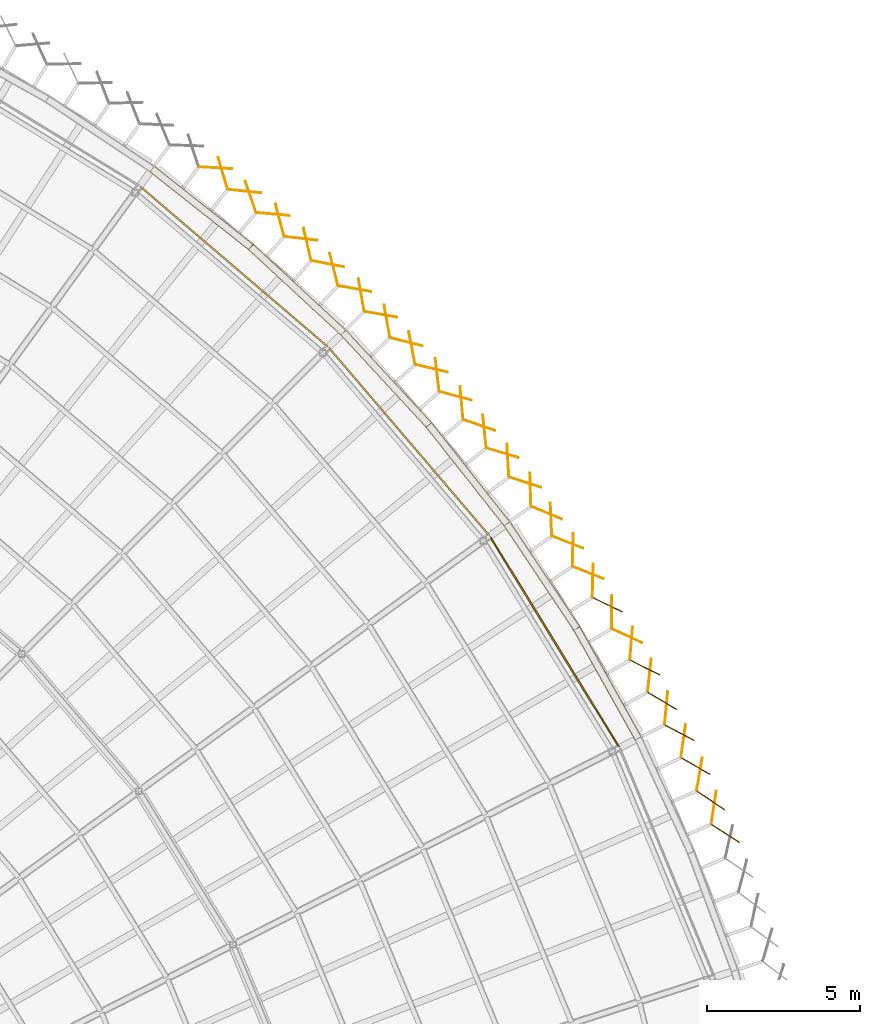
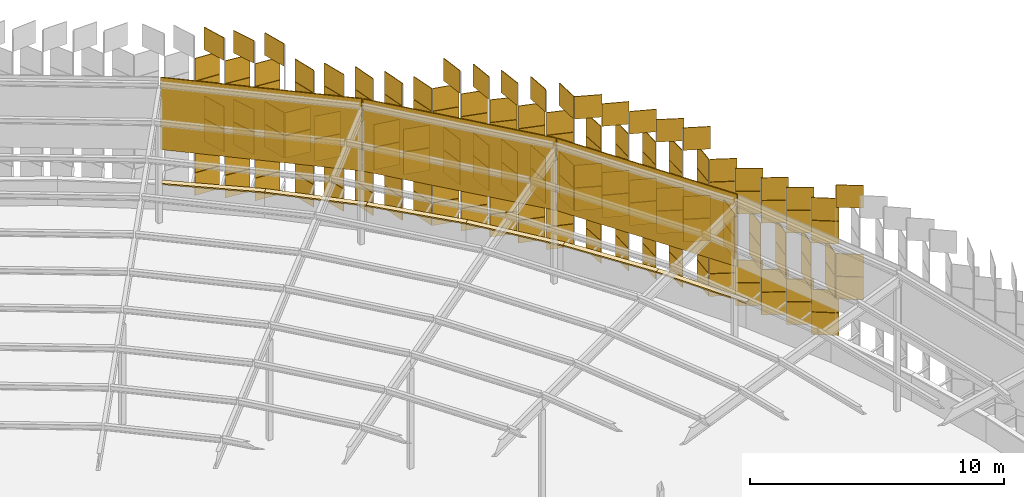
# One storey, part 475 of 483: 163 coverings.
"""IFC4 building model written with IfcOpenShell, lengths in metres."""

from ifc_helpers import new_model, si_unit, direction, frame, origin, origin_2d, place, context, subcontext, project, spatial, polyline, rectangle, outline, extrude, material, layer, layer_set, type_object, element, save


model = new_model("IFC4")

# Units and contexts
model_context = context("Model", 3, precision=1e-05, world=origin(), true_north=direction((0.0, 1.0)))
body_context = subcontext(model_context, "Body", "Model", "MODEL_VIEW")
ifc_project = project(units=[si_unit("LENGTHUNIT", "METRE"), si_unit("AREAUNIT", "SQUARE_METRE"), si_unit("VOLUMEUNIT", "CUBIC_METRE"), si_unit("PLANEANGLEUNIT", "RADIAN"), si_unit("MASSUNIT", "GRAM", prefix="KILO")], contexts=[model_context])

# Site, building, storey
site_placement = place(None, origin())
site = spatial("IfcSite", under=ifc_project, at=site_placement, CompositionType="ELEMENT")
building_placement = place(site_placement, origin())
building = spatial("IfcBuilding", under=site, at=building_placement, Name="Parallax Yard Mobility Hub", CompositionType="ELEMENT")
storey_placement = place(building_placement, frame((0.0, 0.0, 13.199951171875)))
storey = spatial("IfcBuildingStorey", under=building, at=storey_placement, Name="L04", CompositionType="ELEMENT", Elevation=13.199951171875)

# Coverings
ifc_material_1 = material(Name="Concrete fc' 35 MPa", Category="concrete")
ifc_layer_1 = layer(ifc_material_1, 0.06005859375)
ifc_layer_set_1 = layer_set([ifc_layer_1], Name="Parapet coping, Concrete fc' 35 MPa precast, 240")
covering_type_1 = type_object("IfcCoveringType", Name="Parapet coping, Concrete fc' 35 MPa precast, 240", PredefinedType="USERDEFINED", material=ifc_layer_set_1)
covering_1_placement = place(storey_placement, frame((0.0, 0.0, 1.199951171875)))
element("IfcCovering", 1, at=covering_1_placement, inside=storey, type_object=covering_type_1, Name="Parapet coping run 4 part 23", ObjectType="COPING", PredefinedType="USERDEFINED", context=body_context, shape_type="SweptSolid", body=[
    extrude(outline(polyline([(219.035888671875, 113.711181640625), (219.25, 113.8203125), (217.238037109375, 117.415283203125), (217.033203125, 117.2900390625), (219.035888671875, 113.711181640625)])), origin(), (0.0, 0.0, 1.0), 0.06005859375),
])
covering_2_placement = place(storey_placement, frame((0.0, 0.0, 1.199951171875)))
element("IfcCovering", 2, at=covering_2_placement, inside=storey, type_object=covering_type_1, Name="Parapet coping run 4 part 24", ObjectType="COPING", PredefinedType="USERDEFINED", context=body_context, shape_type="SweptSolid", body=[
    extrude(outline(polyline([(217.033203125, 117.2900390625), (217.238037109375, 117.415283203125), (214.952392578125, 120.84326171875), (214.75830078125, 120.701904296875), (217.033203125, 117.2900390625)])), origin(), (0.0, 0.0, 1.0), 0.06005859375),
])
covering_3_placement = place(storey_placement, frame((0.0, 0.0, 1.199951171875)))
element("IfcCovering", 3, at=covering_3_placement, inside=storey, type_object=covering_type_1, Name="Parapet coping run 4 part 25", ObjectType="COPING", PredefinedType="USERDEFINED", context=body_context, shape_type="SweptSolid", body=[
    extrude(outline(polyline([(214.75830078125, 120.701904296875), (214.952392578125, 120.84326171875), (212.3984375, 124.076416015625), (212.216064453125, 123.92041015625), (214.75830078125, 120.701904296875)])), origin(), (0.0, 0.0, 1.0), 0.06005859375),
])
covering_4_placement = place(storey_placement, frame((0.0, 0.0, 1.199951171875)))
element("IfcCovering", 4, at=covering_4_placement, inside=storey, type_object=covering_type_1, Name="Parapet coping run 4 part 26", ObjectType="COPING", PredefinedType="USERDEFINED", context=body_context, shape_type="SweptSolid", body=[
    extrude(outline(polyline([(212.216064453125, 123.92041015625), (212.3984375, 124.076416015625), (209.6005859375, 127.10107421875), (209.430908203125, 126.931396484375), (212.216064453125, 123.92041015625)])), origin(), (0.0, 0.0, 1.0), 0.06005859375),
])
covering_5_placement = place(storey_placement, frame((0.0, 0.0, 1.199951171875)))
element("IfcCovering", 5, at=covering_5_placement, inside=storey, type_object=covering_type_1, Name="Parapet coping run 4 part 27", ObjectType="COPING", PredefinedType="USERDEFINED", context=body_context, shape_type="SweptSolid", body=[
    extrude(outline(polyline([(209.430908203125, 126.931396484375), (209.6005859375, 127.10107421875), (206.576416015625, 129.8984375), (206.42041015625, 129.716064453125), (209.430908203125, 126.931396484375)])), origin(), (0.0, 0.0, 1.0), 0.06005859375),
])
covering_6_placement = place(storey_placement, frame((0.0, 0.0, 1.199951171875)))
element("IfcCovering", 6, at=covering_6_placement, inside=storey, type_object=covering_type_1, Name="Parapet coping run 4 part 28", ObjectType="COPING", PredefinedType="USERDEFINED", context=body_context, shape_type="SweptSolid", body=[
    extrude(outline(polyline([(206.42041015625, 129.716064453125), (206.576416015625, 129.8984375), (203.343505859375, 132.452392578125), (203.202392578125, 132.2578125), (206.42041015625, 129.716064453125)])), origin(), (0.0, 0.0, 1.0), 0.06005859375),
])
ifc_material_2 = material(Name="Aluminium panel, silver anodised", Category="aluminium")
ifc_layer_2 = layer(ifc_material_2, 0.030029296875)
ifc_layer_set_2 = layer_set([ifc_layer_2], Name="Skin panel 32.5 degree turn, silver anodised")
covering_type_2 = type_object("IfcCoveringType", Name="Skin panel 32.5 degree turn, silver anodised", PredefinedType="CLADDING", material=ifc_layer_set_2)
for number, where, z_axis, x_axis, name in (
    (7, (221.513916015625, 111.737060546875, 0.02001953125), (0.0, 0.0, 1.0), (0.831249435826, -0.555899609138, 0.0), "Skin panel 32.5 bay 43.5 row 1 level L04"),
    (8, (221.513916015625, 111.737060546875, 1.1201171875), (0.0, 0.0, 1.0), (0.831249435826, -0.555899609138, 0.0), "Skin panel 32.5 bay 43.5 row 2 level L04"),
    (9, (221.613037109375, 111.511474609375, 2.219970703125), (0.0, 0.0, 1.0), (0.152514952931, 0.988301163175, 0.0), "Skin panel 32.5 bay 43.5 row 3 level L04"),
    (10, (221.613037109375, 111.511474609375, 3.320068359375), (0.0, 0.0, 1.0), (0.152514952931, 0.988301163175, 0.0), "Skin panel 32.5 bay 43.5 row 4 level L04"),
    (11, (221.513916015625, 111.737060546875, 4.419921875), (0.0, 0.0, 1.0), (0.831249435826, -0.555899609138, 0.0), "Skin panel 32.5 bay 43.5 row 5 level L04"),
    (12, (221.513916015625, 111.737060546875, 5.52001953125), (0.0, 0.0, 1.0), (0.831249435826, -0.555899609138, 0.0), "Skin panel 32.5 bay 43.5 row 6 level L04"),
    (13, (219.9306640625, 114.98681640625, 0.02001953125), (0.0, 0.0, 1.0), (0.861629160442, -0.507538362961, 0.0), "Skin panel 32.5 bay 44.1 row 1 level L04"),
    (14, (219.9306640625, 114.98681640625, 1.1201171875), (0.0, 0.0, 1.0), (0.861629160442, -0.507538362961, 0.0), "Skin panel 32.5 bay 44.1 row 2 level L04"),
    (15, (220.060302734375, 114.760009765625, 2.219970703125), (0.0, 0.0, 1.0), (0.09584575252, 0.995396198367, 0.0), "Skin panel 32.5 bay 44.1 row 3 level L04"),
    (16, (220.060302734375, 114.760009765625, 3.320068359375), (0.0, 0.0, 1.0), (0.09584575252, 0.995396198367, 0.0), "Skin panel 32.5 bay 44.1 row 4 level L04"),
    (17, (219.9306640625, 114.98681640625, 4.419921875), (0.0, 0.0, 1.0), (0.861629160442, -0.507538362961, 0.0), "Skin panel 32.5 bay 44.1 row 5 level L04"),
    (18, (219.9306640625, 114.98681640625, 5.52001953125), (0.0, 0.0, 1.0), (0.861629160442, -0.507538362961, 0.0), "Skin panel 32.5 bay 44.1 row 6 level L04"),
    (19, (218.281982421875, 117.900146484375, 0.02001953125), (0.0, 0.0, 1.0), (0.010312967731, 0.999946819934, 0.0), "Skin panel 32.5 bay 44.4 row 1 level L04"),
    (20, (218.281982421875, 117.900146484375, 1.1201171875), (0.0, 0.0, 1.0), (0.010312967731, 0.999946819934, 0.0), "Skin panel 32.5 bay 44.4 row 2 level L04"),
    (21, (218.1494140625, 118.125, 2.219970703125), (0.0, 0.0, 1.0), (0.901901141033, -0.431942509836, 0.0), "Skin panel 32.5 bay 44.4 row 3 level L04"),
    (22, (218.1494140625, 118.125, 3.320068359375), (0.0, 0.0, 1.0), (0.901901141033, -0.431942509836, 0.0), "Skin panel 32.5 bay 44.4 row 4 level L04"),
    (23, (218.281982421875, 117.900146484375, 4.419921875), (0.0, 0.0, 1.0), (0.010312967731, 0.999946819934, 0.0), "Skin panel 32.5 bay 44.4 row 5 level L04"),
    (24, (218.281982421875, 117.900146484375, 5.52001953125), (0.0, 0.0, 1.0), (0.010312967731, 0.999946819934, 0.0), "Skin panel 32.5 bay 44.4 row 6 level L04"),
    (25, (218.1494140625, 118.125, 6.6201171875), (0.0, 0.0, 1.0), (0.901901141033, -0.431942509836, 0.0), "Skin panel 32.5 bay 44.4 row 7 level L04"),
    (26, (216.301025390625, 120.924072265625, 0.02001953125), (0.0, 0.0, 1.0), (-0.046789151046, 0.998904787927, 0.0), "Skin panel 32.5 bay 44.7 row 1 level L04"),
    (27, (216.301025390625, 120.924072265625, 1.1201171875), (0.0, 0.0, 1.0), (-0.046789151046, 0.998904787927, 0.0), "Skin panel 32.5 bay 44.7 row 2 level L04"),
    (28, (216.1591796875, 121.12548828125, 2.219970703125), (0.0, 0.0, 1.0), (0.92508913749, -0.379750033177, 0.0), "Skin panel 32.5 bay 44.7 row 3 level L04"),
    (29, (216.1591796875, 121.12548828125, 3.320068359375), (0.0, 0.0, 1.0), (0.92508913749, -0.379750033177, 0.0), "Skin panel 32.5 bay 44.7 row 4 level L04"),
    (30, (216.301025390625, 120.924072265625, 4.419921875), (0.0, 0.0, 1.0), (-0.046789151046, 0.998904787927, 0.0), "Skin panel 32.5 bay 44.7 row 5 level L04"),
    (31, (216.301025390625, 120.924072265625, 5.52001953125), (0.0, 0.0, 1.0), (-0.046789151046, 0.998904787927, 0.0), "Skin panel 32.5 bay 44.7 row 6 level L04"),
    (32, (216.1591796875, 121.12548828125, 6.6201171875), (0.0, 0.0, 1.0), (0.92508913749, -0.379750033177, 0.0), "Skin panel 32.5 bay 44.7 row 7 level L04"),
    (33, (213.95458984375, 123.99072265625, 0.02001953125), (0.0, 0.0, 1.0), (0.94525973574, -0.32631891148, 0.0), "Skin panel 32.5 bay 45.3 row 1 level L04"),
    (34, (213.95458984375, 123.99072265625, 1.1201171875), (0.0, 0.0, 1.0), (0.94525973574, -0.32631891148, 0.0), "Skin panel 32.5 bay 45.3 row 2 level L04"),
    (35, (214.129150390625, 123.7958984375, 2.219970703125), (0.0, 0.0, 1.0), (-0.10373865588, 0.994604590416, 0.0), "Skin panel 32.5 bay 45.3 row 3 level L04"),
    (36, (214.129150390625, 123.7958984375, 3.320068359375), (0.0, 0.0, 1.0), (-0.10373865588, 0.994604590416, 0.0), "Skin panel 32.5 bay 45.3 row 4 level L04"),
    (37, (213.95458984375, 123.99072265625, 4.419921875), (0.0, 0.0, 1.0), (0.94525973574, -0.32631891148, 0.0), "Skin panel 32.5 bay 45.3 row 5 level L04"),
    (38, (213.95458984375, 123.99072265625, 5.52001953125), (0.0, 0.0, 1.0), (0.94525973574, -0.32631891148, 0.0), "Skin panel 32.5 bay 45.3 row 6 level L04"),
    (39, (214.129150390625, 123.7958984375, 6.6201171875), (0.0, 0.0, 1.0), (-0.10373865588, 0.994604590416, 0.0), "Skin panel 32.5 bay 45.3 row 7 level L04"),
    (40, (211.7578125, 126.516845703125, 0.02001953125), (0.0, 0.0, 1.0), (-0.188471566651, 0.982078646832, 0.0), "Skin panel 32.5 bay 45.6 row 1 level L04"),
    (41, (211.7578125, 126.516845703125, 1.1201171875), (0.0, 0.0, 1.0), (-0.188471566651, 0.982078646832, 0.0), "Skin panel 32.5 bay 45.6 row 2 level L04"),
    (42, (211.58056640625, 126.708984375, 2.219970703125), (0.0, 0.0, 1.0), (0.969717050992, -0.244231122126, 0.0), "Skin panel 32.5 bay 45.6 row 3 level L04"),
    (43, (211.58056640625, 126.708984375, 3.320068359375), (0.0, 0.0, 1.0), (0.969717050992, -0.244231122126, 0.0), "Skin panel 32.5 bay 45.6 row 4 level L04"),
    (44, (211.7578125, 126.516845703125, 4.419921875), (0.0, 0.0, 1.0), (-0.188471566651, 0.982078646832, 0.0), "Skin panel 32.5 bay 45.6 row 5 level L04"),
    (45, (211.7578125, 126.516845703125, 5.52001953125), (0.0, 0.0, 1.0), (-0.188471566651, 0.982078646832, 0.0), "Skin panel 32.5 bay 45.6 row 6 level L04"),
    (46, (209.208740234375, 129.080810546875, 0.02001953125), (0.0, 0.0, 1.0), (-0.244231122126, 0.969717050992, 0.0), "Skin panel 32.5 bay 46.2 row 1 level L04"),
    (47, (209.208740234375, 129.080810546875, 1.1201171875), (0.0, 0.0, 1.0), (-0.244231122126, 0.969717050992, 0.0), "Skin panel 32.5 bay 46.2 row 2 level L04"),
    (48, (209.0166015625, 129.2578125, 2.219970703125), (0.0, 0.0, 1.0), (0.982078646832, -0.188471566651, 0.0), "Skin panel 32.5 bay 46.2 row 3 level L04"),
    (49, (209.0166015625, 129.2578125, 3.320068359375), (0.0, 0.0, 1.0), (0.982078646832, -0.188471566651, 0.0), "Skin panel 32.5 bay 46.2 row 4 level L04"),
    (50, (209.208740234375, 129.080810546875, 4.419921875), (0.0, 0.0, 1.0), (-0.244231122126, 0.969717050992, 0.0), "Skin panel 32.5 bay 46.2 row 5 level L04"),
    (51, (209.208740234375, 129.080810546875, 5.52001953125), (0.0, 0.0, 1.0), (-0.244231122126, 0.969717050992, 0.0), "Skin panel 32.5 bay 46.2 row 6 level L04"),
    (52, (206.296142578125, 131.629150390625, 0.02001953125), (0.0, 0.0, 1.0), (0.994604590416, -0.10373865588, 0.0), "Skin panel 32.5 bay 46.5 row 1 level L04"),
    (53, (206.296142578125, 131.629150390625, 1.1201171875), (0.0, 0.0, 1.0), (0.994604590416, -0.10373865588, 0.0), "Skin panel 32.5 bay 46.5 row 2 level L04"),
    (54, (206.49072265625, 131.45458984375, 2.219970703125), (0.0, 0.0, 1.0), (-0.32631891148, 0.94525973574, 0.0), "Skin panel 32.5 bay 46.5 row 3 level L04"),
    (55, (206.49072265625, 131.45458984375, 3.320068359375), (0.0, 0.0, 1.0), (-0.32631891148, 0.94525973574, 0.0), "Skin panel 32.5 bay 46.5 row 4 level L04"),
    (56, (206.296142578125, 131.629150390625, 4.419921875), (0.0, 0.0, 1.0), (0.994604590416, -0.10373865588, 0.0), "Skin panel 32.5 bay 46.5 row 5 level L04"),
    (57, (206.296142578125, 131.629150390625, 5.52001953125), (0.0, 0.0, 1.0), (0.994604590416, -0.10373865588, 0.0), "Skin panel 32.5 bay 46.5 row 6 level L04"),
    (58, (206.49072265625, 131.45458984375, 6.6201171875), (0.0, 0.0, 1.0), (-0.32631891148, 0.94525973574, 0.0), "Skin panel 32.5 bay 46.5 row 7 level L04"),
):
    element("IfcCovering", number, at=place(storey_placement, frame(where, z_axis=z_axis, x_axis=x_axis)), inside=storey, type_object=covering_type_2, Name=name, ObjectType="SCREEN", PredefinedType="CLADDING", context=body_context, shape_type="SweptSolid", body=[
        extrude(rectangle(XDim=1.080078125, YDim=0.030029296875, at=origin_2d()), origin(), (0.0, 0.0, 1.0), 1.080078125),
    ])
ifc_layer_3 = layer(ifc_material_2, 0.030029296875)
ifc_layer_set_3 = layer_set([ifc_layer_3], Name="Skin panel 35 degree turn, silver anodised")
covering_type_3 = type_object("IfcCoveringType", Name="Skin panel 35 degree turn, silver anodised", PredefinedType="CLADDING", material=ifc_layer_set_3)
for number, where, z_axis, x_axis, name in (
    (59, (221.9951171875, 110.659423828125, 2.219970703125), (0.0, 0.0, 1.0), (0.839533584284, -0.543307795692, 0.0), "Skin panel 35 bay 43.4 row 3 level L04"),
    (60, (221.9951171875, 110.659423828125, 3.320068359375), (0.0, 0.0, 1.0), (0.839533584284, -0.543307795692, 0.0), "Skin panel 35 bay 43.4 row 4 level L04"),
    (61, (221.9951171875, 110.659423828125, 6.6201171875), (0.0, 0.0, 1.0), (0.839533584284, -0.543307795692, 0.0), "Skin panel 35 bay 43.4 row 7 level L04"),
    (62, (221.024169921875, 112.856689453125, 0.02001953125), (0.0, 0.0, 1.0), (0.869180952867, -0.494494156864, 0.0), "Skin panel 35 bay 43.6 row 1 level L04"),
    (63, (221.024169921875, 112.856689453125, 1.1201171875), (0.0, 0.0, 1.0), (0.869180952867, -0.494494156864, 0.0), "Skin panel 35 bay 43.6 row 2 level L04"),
    (64, (221.14453125, 112.5947265625, 2.219970703125), (0.0, 0.0, 1.0), (0.167395116152, 0.985889889941, 0.0), "Skin panel 35 bay 43.6 row 3 level L04"),
    (65, (221.14453125, 112.5947265625, 3.320068359375), (0.0, 0.0, 1.0), (0.167395116152, 0.985889889941, 0.0), "Skin panel 35 bay 43.6 row 4 level L04"),
    (66, (221.024169921875, 112.856689453125, 4.419921875), (0.0, 0.0, 1.0), (0.869180952867, -0.494494156864, 0.0), "Skin panel 35 bay 43.6 row 5 level L04"),
    (67, (221.024169921875, 112.856689453125, 5.52001953125), (0.0, 0.0, 1.0), (0.869180952867, -0.494494156864, 0.0), "Skin panel 35 bay 43.6 row 6 level L04"),
    (68, (220.498291015625, 113.945068359375, 0.02001953125), (0.0, 0.0, 1.0), (0.882947592859, -0.469471562786, 0.0), "Skin panel 35 bay 43.7 row 1 level L04"),
    (69, (220.498291015625, 113.945068359375, 1.1201171875), (0.0, 0.0, 1.0), (0.882947592859, -0.469471562786, 0.0), "Skin panel 35 bay 43.7 row 2 level L04"),
    (70, (220.617919921875, 113.6826171875, 2.219970703125), (0.0, 0.0, 1.0), (0.13917310096, 0.990268068742, 0.0), "Skin panel 35 bay 43.7 row 3 level L04"),
    (71, (220.617919921875, 113.6826171875, 3.320068359375), (0.0, 0.0, 1.0), (0.13917310096, 0.990268068742, 0.0), "Skin panel 35 bay 43.7 row 4 level L04"),
    (72, (220.498291015625, 113.945068359375, 4.419921875), (0.0, 0.0, 1.0), (0.882947592859, -0.469471562786, 0.0), "Skin panel 35 bay 43.7 row 5 level L04"),
    (73, (220.498291015625, 113.945068359375, 5.52001953125), (0.0, 0.0, 1.0), (0.882947592859, -0.469471562786, 0.0), "Skin panel 35 bay 43.7 row 6 level L04"),
    (74, (219.3720703125, 116.073486328125, 0.02001953125), (0.0, 0.0, 1.0), (0.895994056125, -0.44406604395, 0.0), "Skin panel 35 bay 44.2 row 1 level L04"),
    (75, (219.3720703125, 116.073486328125, 1.1201171875), (0.0, 0.0, 1.0), (0.895994056125, -0.44406604395, 0.0), "Skin panel 35 bay 44.2 row 2 level L04"),
    (76, (219.512939453125, 115.822265625, 2.219970703125), (0.0, 0.0, 1.0), (0.110837569146, 0.993838534806, 0.0), "Skin panel 35 bay 44.2 row 3 level L04"),
    (77, (219.512939453125, 115.822265625, 3.320068359375), (0.0, 0.0, 1.0), (0.110837569146, 0.993838534806, 0.0), "Skin panel 35 bay 44.2 row 4 level L04"),
    (78, (219.3720703125, 116.073486328125, 4.419921875), (0.0, 0.0, 1.0), (0.895994056125, -0.44406604395, 0.0), "Skin panel 35 bay 44.2 row 5 level L04"),
    (79, (219.3720703125, 116.073486328125, 5.52001953125), (0.0, 0.0, 1.0), (0.895994056125, -0.44406604395, 0.0), "Skin panel 35 bay 44.2 row 6 level L04"),
    (80, (218.91943359375, 116.875, 0.02001953125), (0.0, 0.0, 1.0), (0.082413371996, 0.996598232046, 0.0), "Skin panel 35 bay 44.3 row 1 level L04"),
    (81, (218.91943359375, 116.875, 1.1201171875), (0.0, 0.0, 1.0), (0.082413371996, 0.996598232046, 0.0), "Skin panel 35 bay 44.3 row 2 level L04"),
    (82, (218.781494140625, 117.111083984375, 2.219970703125), (0.0, 0.0, 1.0), (0.908308971239, -0.418299907681, 0.0), "Skin panel 35 bay 44.3 row 3 level L04"),
    (83, (218.781494140625, 117.111083984375, 3.320068359375), (0.0, 0.0, 1.0), (0.908308971239, -0.418299907681, 0.0), "Skin panel 35 bay 44.3 row 4 level L04"),
    (84, (218.91943359375, 116.875, 4.419921875), (0.0, 0.0, 1.0), (0.082413371996, 0.996598232046, 0.0), "Skin panel 35 bay 44.3 row 5 level L04"),
    (85, (218.91943359375, 116.875, 5.52001953125), (0.0, 0.0, 1.0), (0.082413371996, 0.996598232046, 0.0), "Skin panel 35 bay 44.3 row 6 level L04"),
    (86, (218.781494140625, 117.111083984375, 6.6201171875), (0.0, 0.0, 1.0), (0.908308971239, -0.418299907681, 0.0), "Skin panel 35 bay 44.3 row 7 level L04"),
    (87, (217.66162109375, 118.921630859375, 0.02001953125), (0.0, 0.0, 1.0), (0.025383087454, 0.999677797528, 0.0), "Skin panel 35 bay 44.5 row 1 level L04"),
    (88, (217.66162109375, 118.921630859375, 1.1201171875), (0.0, 0.0, 1.0), (0.025383087454, 0.999677797528, 0.0), "Skin panel 35 bay 44.5 row 2 level L04"),
    (89, (217.515625, 119.17041015625, 2.219970703125), (0.0, 0.0, 1.0), (0.930708322292, -0.365762243564, 0.0), "Skin panel 35 bay 44.5 row 3 level L04"),
    (90, (217.515625, 119.17041015625, 3.320068359375), (0.0, 0.0, 1.0), (0.930708322292, -0.365762243564, 0.0), "Skin panel 35 bay 44.5 row 4 level L04"),
    (91, (217.66162109375, 118.921630859375, 4.419921875), (0.0, 0.0, 1.0), (0.025383087454, 0.999677797528, 0.0), "Skin panel 35 bay 44.5 row 5 level L04"),
    (92, (217.66162109375, 118.921630859375, 5.52001953125), (0.0, 0.0, 1.0), (0.025383087454, 0.999677797528, 0.0), "Skin panel 35 bay 44.5 row 6 level L04"),
    (93, (217.515625, 119.17041015625, 6.6201171875), (0.0, 0.0, 1.0), (0.930708322292, -0.365762243564, 0.0), "Skin panel 35 bay 44.5 row 7 level L04"),
    (94, (217.011962890625, 119.929931640625, 0.02001953125), (0.0, 0.0, 1.0), (0.025383087454, 0.999677797528, 0.0), "Skin panel 35 bay 44.6 row 1 level L04"),
    (95, (217.011962890625, 119.929931640625, 1.1201171875), (0.0, 0.0, 1.0), (0.025383087454, 0.999677797528, 0.0), "Skin panel 35 bay 44.6 row 2 level L04"),
    (96, (216.844970703125, 120.164794921875, 2.219970703125), (0.0, 0.0, 1.0), (0.930708322292, -0.365762243564, 0.0), "Skin panel 35 bay 44.6 row 3 level L04"),
    (97, (216.844970703125, 120.164794921875, 3.320068359375), (0.0, 0.0, 1.0), (0.930708322292, -0.365762243564, 0.0), "Skin panel 35 bay 44.6 row 4 level L04"),
    (98, (217.011962890625, 119.929931640625, 4.419921875), (0.0, 0.0, 1.0), (0.025383087454, 0.999677797528, 0.0), "Skin panel 35 bay 44.6 row 5 level L04"),
    (99, (217.011962890625, 119.929931640625, 5.52001953125), (0.0, 0.0, 1.0), (0.025383087454, 0.999677797528, 0.0), "Skin panel 35 bay 44.6 row 6 level L04"),
    (100, (216.844970703125, 120.164794921875, 6.6201171875), (0.0, 0.0, 1.0), (0.930708322292, -0.365762243564, 0.0), "Skin panel 35 bay 44.6 row 7 level L04"),
    (101, (215.4541015625, 122.123779296875, 0.02001953125), (0.0, 0.0, 1.0), (0.950071216759, -0.31203314421, 0.0), "Skin panel 35 bay 45.1 row 1 level L04"),
    (102, (215.4541015625, 122.123779296875, 1.1201171875), (0.0, 0.0, 1.0), (0.950071216759, -0.31203314421, 0.0), "Skin panel 35 bay 45.1 row 2 level L04"),
    (103, (215.626708984375, 121.892578125, 2.219970703125), (0.0, 0.0, 1.0), (-0.031728250671, 0.999496532315, 0.0), "Skin panel 35 bay 45.1 row 3 level L04"),
    (104, (215.626708984375, 121.892578125, 3.320068359375), (0.0, 0.0, 1.0), (-0.031728250671, 0.999496532315, 0.0), "Skin panel 35 bay 45.1 row 4 level L04"),
    (105, (215.4541015625, 122.123779296875, 4.419921875), (0.0, 0.0, 1.0), (0.950071216759, -0.31203314421, 0.0), "Skin panel 35 bay 45.1 row 5 level L04"),
    (106, (215.4541015625, 122.123779296875, 5.52001953125), (0.0, 0.0, 1.0), (0.950071216759, -0.31203314421, 0.0), "Skin panel 35 bay 45.1 row 6 level L04"),
    (107, (215.626708984375, 121.892578125, 6.6201171875), (0.0, 0.0, 1.0), (-0.031728250671, 0.999496532315, 0.0), "Skin panel 35 bay 45.1 row 7 level L04"),
    (108, (214.72021484375, 123.084228515625, 0.02001953125), (0.0, 0.0, 1.0), (0.958593888928, -0.284776677608, 0.0), "Skin panel 35 bay 45.2 row 1 level L04"),
    (109, (214.72021484375, 123.084228515625, 1.1201171875), (0.0, 0.0, 1.0), (0.958593888928, -0.284776677608, 0.0), "Skin panel 35 bay 45.2 row 2 level L04"),
    (110, (214.89208984375, 122.8525390625, 2.219970703125), (0.0, 0.0, 1.0), (-0.060255876762, 0.998182963848, 0.0), "Skin panel 35 bay 45.2 row 3 level L04"),
    (111, (214.89208984375, 122.8525390625, 3.320068359375), (0.0, 0.0, 1.0), (-0.060255876762, 0.998182963848, 0.0), "Skin panel 35 bay 45.2 row 4 level L04"),
    (112, (214.72021484375, 123.084228515625, 4.419921875), (0.0, 0.0, 1.0), (0.958593888928, -0.284776677608, 0.0), "Skin panel 35 bay 45.2 row 5 level L04"),
    (113, (214.72021484375, 123.084228515625, 5.52001953125), (0.0, 0.0, 1.0), (0.958593888928, -0.284776677608, 0.0), "Skin panel 35 bay 45.2 row 6 level L04"),
    (114, (214.89208984375, 122.8525390625, 6.6201171875), (0.0, 0.0, 1.0), (-0.060255876762, 0.998182963848, 0.0), "Skin panel 35 bay 45.2 row 7 level L04"),
    (115, (213.188720703125, 124.943115234375, 0.02001953125), (0.0, 0.0, 1.0), (0.966335228027, -0.257286274555, 0.0), "Skin panel 35 bay 45.4 row 1 level L04"),
    (116, (213.188720703125, 124.943115234375, 1.1201171875), (0.0, 0.0, 1.0), (0.966335228027, -0.257286274555, 0.0), "Skin panel 35 bay 45.4 row 2 level L04"),
    (117, (213.37939453125, 124.7265625, 2.219970703125), (0.0, 0.0, 1.0), (-0.088736099562, 0.996055171481, 0.0), "Skin panel 35 bay 45.4 row 3 level L04"),
    (118, (213.37939453125, 124.7265625, 3.320068359375), (0.0, 0.0, 1.0), (-0.088736099562, 0.996055171481, 0.0), "Skin panel 35 bay 45.4 row 4 level L04"),
    (119, (213.188720703125, 124.943115234375, 4.419921875), (0.0, 0.0, 1.0), (0.966335228027, -0.257286274555, 0.0), "Skin panel 35 bay 45.4 row 5 level L04"),
    (120, (213.188720703125, 124.943115234375, 5.52001953125), (0.0, 0.0, 1.0), (0.966335228027, -0.257286274555, 0.0), "Skin panel 35 bay 45.4 row 6 level L04"),
    (121, (213.37939453125, 124.7265625, 6.6201171875), (0.0, 0.0, 1.0), (-0.088736099562, 0.996055171481, 0.0), "Skin panel 35 bay 45.4 row 7 level L04"),
    (122, (212.404052734375, 125.8427734375, 0.02001953125), (0.0, 0.0, 1.0), (0.973288375226, -0.229586015799, 0.0), "Skin panel 35 bay 45.5 row 1 level L04"),
    (123, (212.404052734375, 125.8427734375, 1.1201171875), (0.0, 0.0, 1.0), (0.973288375226, -0.229586015799, 0.0), "Skin panel 35 bay 45.5 row 2 level L04"),
    (124, (212.5859375, 125.638671875, 2.219970703125), (0.0, 0.0, 1.0), (-0.117143944709, 0.993114946126, 0.0), "Skin panel 35 bay 45.5 row 3 level L04"),
    (125, (212.5859375, 125.638671875, 3.320068359375), (0.0, 0.0, 1.0), (-0.117143944709, 0.993114946126, 0.0), "Skin panel 35 bay 45.5 row 4 level L04"),
    (126, (212.404052734375, 125.8427734375, 4.419921875), (0.0, 0.0, 1.0), (0.973288375226, -0.229586015799, 0.0), "Skin panel 35 bay 45.5 row 5 level L04"),
    (127, (212.404052734375, 125.8427734375, 5.52001953125), (0.0, 0.0, 1.0), (0.973288375226, -0.229586015799, 0.0), "Skin panel 35 bay 45.5 row 6 level L04"),
    (128, (212.5859375, 125.638671875, 6.6201171875), (0.0, 0.0, 1.0), (-0.117143944709, 0.993114946126, 0.0), "Skin panel 35 bay 45.5 row 7 level L04"),
    (129, (210.944580078125, 127.392822265625, 0.02001953125), (0.0, 0.0, 1.0), (-0.173648177667, 0.984807753012, 0.0), "Skin panel 35 bay 45.7 row 1 level L04"),
    (130, (210.944580078125, 127.392822265625, 1.1201171875), (0.0, 0.0, 1.0), (-0.173648177667, 0.984807753012, 0.0), "Skin panel 35 bay 45.7 row 2 level L04"),
    (131, (210.74951171875, 127.60546875, 2.219970703125), (0.0, 0.0, 1.0), (0.984807753012, -0.173648177667, 0.0), "Skin panel 35 bay 45.7 row 3 level L04"),
    (132, (210.74951171875, 127.60546875, 3.320068359375), (0.0, 0.0, 1.0), (0.984807753012, -0.173648177667, 0.0), "Skin panel 35 bay 45.7 row 4 level L04"),
    (133, (210.944580078125, 127.392822265625, 4.419921875), (0.0, 0.0, 1.0), (-0.173648177667, 0.984807753012, 0.0), "Skin panel 35 bay 45.7 row 5 level L04"),
    (134, (210.944580078125, 127.392822265625, 5.52001953125), (0.0, 0.0, 1.0), (-0.173648177667, 0.984807753012, 0.0), "Skin panel 35 bay 45.7 row 6 level L04"),
    (135, (210.10498046875, 128.25, 0.02001953125), (0.0, 0.0, 1.0), (-0.173648177667, 0.984807753012, 0.0), "Skin panel 35 bay 46.1 row 1 level L04"),
    (136, (210.10498046875, 128.25, 1.1201171875), (0.0, 0.0, 1.0), (-0.173648177667, 0.984807753012, 0.0), "Skin panel 35 bay 46.1 row 2 level L04"),
    (137, (209.892578125, 128.44482421875, 2.219970703125), (0.0, 0.0, 1.0), (0.984807753012, -0.173648177667, 0.0), "Skin panel 35 bay 46.1 row 3 level L04"),
    (138, (209.892578125, 128.44482421875, 3.320068359375), (0.0, 0.0, 1.0), (0.984807753012, -0.173648177667, 0.0), "Skin panel 35 bay 46.1 row 4 level L04"),
    (139, (210.10498046875, 128.25, 4.419921875), (0.0, 0.0, 1.0), (-0.173648177667, 0.984807753012, 0.0), "Skin panel 35 bay 46.1 row 5 level L04"),
    (140, (210.10498046875, 128.25, 5.52001953125), (0.0, 0.0, 1.0), (-0.173648177667, 0.984807753012, 0.0), "Skin panel 35 bay 46.1 row 6 level L04"),
    (141, (208.342529296875, 129.904296875, 0.02001953125), (0.0, 0.0, 1.0), (-0.229586015799, 0.973288375226, 0.0), "Skin panel 35 bay 46.3 row 1 level L04"),
    (142, (208.342529296875, 129.904296875, 1.1201171875), (0.0, 0.0, 1.0), (-0.229586015799, 0.973288375226, 0.0), "Skin panel 35 bay 46.3 row 2 level L04"),
    (143, (208.138427734375, 130.086181640625, 2.219970703125), (0.0, 0.0, 1.0), (0.993114946126, -0.117143944709, 0.0), "Skin panel 35 bay 46.3 row 3 level L04"),
    (144, (208.138427734375, 130.086181640625, 3.320068359375), (0.0, 0.0, 1.0), (0.993114946126, -0.117143944709, 0.0), "Skin panel 35 bay 46.3 row 4 level L04"),
    (145, (208.342529296875, 129.904296875, 4.419921875), (0.0, 0.0, 1.0), (-0.229586015799, 0.973288375226, 0.0), "Skin panel 35 bay 46.3 row 5 level L04"),
    (146, (208.342529296875, 129.904296875, 5.52001953125), (0.0, 0.0, 1.0), (-0.229586015799, 0.973288375226, 0.0), "Skin panel 35 bay 46.3 row 6 level L04"),
    (147, (207.2265625, 130.87939453125, 0.02001953125), (0.0, 0.0, 1.0), (0.996055171481, -0.088736099562, 0.0), "Skin panel 35 bay 46.4 row 1 level L04"),
    (148, (207.2265625, 130.87939453125, 1.1201171875), (0.0, 0.0, 1.0), (0.996055171481, -0.088736099562, 0.0), "Skin panel 35 bay 46.4 row 2 level L04"),
    (149, (207.44287109375, 130.68896484375, 2.219970703125), (0.0, 0.0, 1.0), (-0.257286274555, 0.966335228027, 0.0), "Skin panel 35 bay 46.4 row 3 level L04"),
    (150, (207.44287109375, 130.68896484375, 3.320068359375), (0.0, 0.0, 1.0), (-0.257286274555, 0.966335228027, 0.0), "Skin panel 35 bay 46.4 row 4 level L04"),
    (151, (207.2265625, 130.87939453125, 4.419921875), (0.0, 0.0, 1.0), (0.996055171481, -0.088736099562, 0.0), "Skin panel 35 bay 46.4 row 5 level L04"),
    (152, (207.2265625, 130.87939453125, 5.52001953125), (0.0, 0.0, 1.0), (0.996055171481, -0.088736099562, 0.0), "Skin panel 35 bay 46.4 row 6 level L04"),
    (153, (207.44287109375, 130.68896484375, 6.6201171875), (0.0, 0.0, 1.0), (-0.257286274555, 0.966335228027, 0.0), "Skin panel 35 bay 46.4 row 7 level L04"),
    (154, (205.352783203125, 132.391845703125, 0.02001953125), (0.0, 0.0, 1.0), (0.998182963848, -0.060255876762, 0.0), "Skin panel 35 bay 46.6 row 1 level L04"),
    (155, (205.352783203125, 132.391845703125, 1.1201171875), (0.0, 0.0, 1.0), (0.998182963848, -0.060255876762, 0.0), "Skin panel 35 bay 46.6 row 2 level L04"),
    (156, (205.584228515625, 132.22021484375, 2.219970703125), (0.0, 0.0, 1.0), (-0.284776677608, 0.958593888928, 0.0), "Skin panel 35 bay 46.6 row 3 level L04"),
    (157, (205.584228515625, 132.22021484375, 3.320068359375), (0.0, 0.0, 1.0), (-0.284776677608, 0.958593888928, 0.0), "Skin panel 35 bay 46.6 row 4 level L04"),
    (158, (205.352783203125, 132.391845703125, 4.419921875), (0.0, 0.0, 1.0), (0.998182963848, -0.060255876762, 0.0), "Skin panel 35 bay 46.6 row 5 level L04"),
    (159, (205.352783203125, 132.391845703125, 5.52001953125), (0.0, 0.0, 1.0), (0.998182963848, -0.060255876762, 0.0), "Skin panel 35 bay 46.6 row 6 level L04"),
    (160, (205.584228515625, 132.22021484375, 6.6201171875), (0.0, 0.0, 1.0), (-0.284776677608, 0.958593888928, 0.0), "Skin panel 35 bay 46.6 row 7 level L04"),
):
    element("IfcCovering", number, at=place(storey_placement, frame(where, z_axis=z_axis, x_axis=x_axis)), inside=storey, type_object=covering_type_3, Name=name, ObjectType="SCREEN", PredefinedType="CLADDING", context=body_context, shape_type="SweptSolid", body=[
        extrude(rectangle(XDim=1.080078125, YDim=0.030029296875, at=origin_2d()), origin(), (0.0, 0.0, 1.0), 1.080078125),
    ])
ifc_material_3 = material(Name="Anodised aluminium louvre panel", Category="aluminium")
ifc_layer_4 = layer(ifc_material_3, 0.050048828125)
ifc_layer_set_4 = layer_set([ifc_layer_4], Name="Storm valance louvre panel 50")
covering_type_4 = type_object("IfcCoveringType", Name="Storm valance louvre panel 50", PredefinedType="CLADDING", material=ifc_layer_set_4)
covering_7_placement = place(storey_placement, frame((0.0, 0.0, 3.300048828125)))
element("IfcCovering", 161, at=covering_7_placement, inside=storey, type_object=covering_type_4, Name="Storm valance sector R4-R5", PredefinedType="CLADDING", context=body_context, shape_type="SweptSolid", body=[
    extrude(outline(polyline([(202.8759765625, 131.758056640625), (208.9921875, 126.534423828125), (209.024658203125, 126.572509765625), (202.908447265625, 131.796142578125), (202.8759765625, 131.758056640625)])), origin(), (0.0, 0.0, 1.0), 3.46630859375),
])
covering_8_placement = place(storey_placement, frame((0.0, 0.0, 3.300048828125)))
element("IfcCovering", 162, at=covering_8_placement, inside=storey, type_object=covering_type_4, Name="Storm valance sector R5-R6", PredefinedType="CLADDING", context=body_context, shape_type="SweptSolid", body=[
    extrude(outline(polyline([(209.034423828125, 126.4921875), (214.258056640625, 120.3759765625), (214.296142578125, 120.408447265625), (209.072509765625, 126.524658203125), (209.034423828125, 126.4921875)])), origin(), (0.0, 0.0, 1.0), 3.46630859375),
])
covering_9_placement = place(storey_placement, frame((0.0, 0.0, 3.300048828125)))
element("IfcCovering", 163, at=covering_9_placement, inside=storey, type_object=covering_type_4, Name="Storm valance sector R6-R7", PredefinedType="CLADDING", context=body_context, shape_type="SweptSolid", body=[
    extrude(outline(polyline([(214.293212890625, 120.32763671875), (218.495849609375, 113.4697265625), (218.53857421875, 113.495849609375), (214.3359375, 120.353759765625), (214.293212890625, 120.32763671875)])), origin(), (0.0, 0.0, 1.0), 3.46630859375),
])

save(model, "model.ifc")
